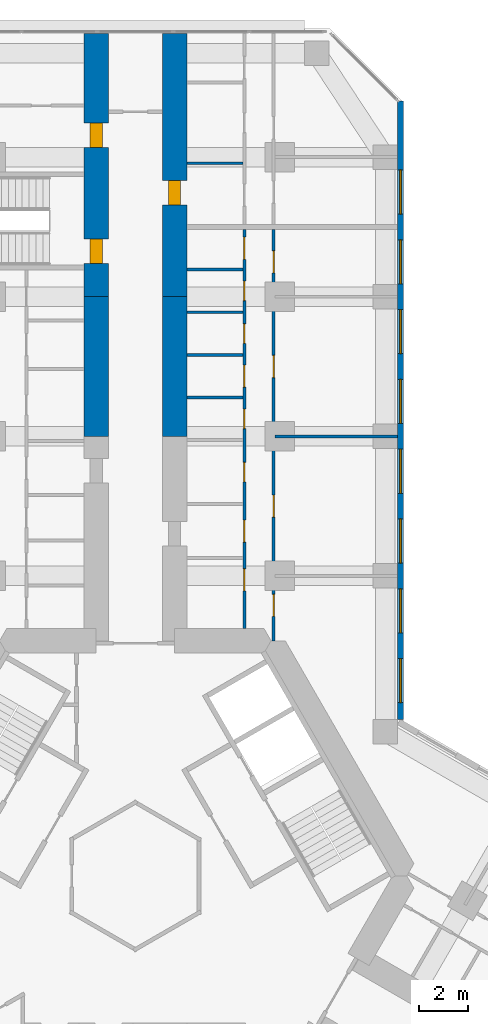
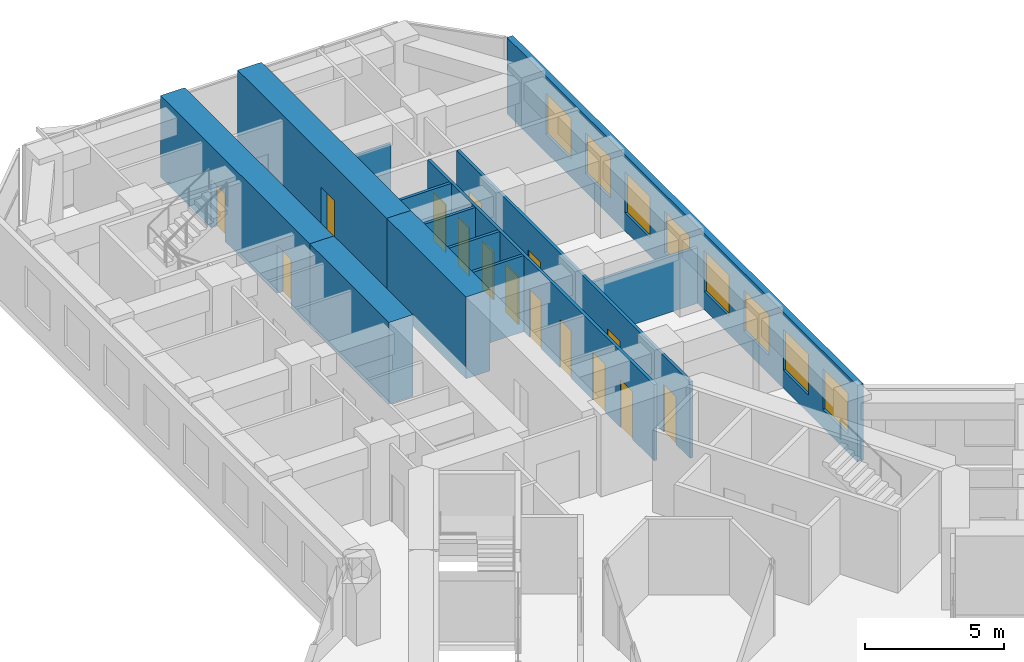
# One storey, part 18 of 21: 15 doors, 13 walls, 8 windows, 23 openings.
"""IFC4 building model written with IfcOpenShell, lengths in metres."""

from ifc_helpers import new_model, si_unit, direction, frame, frame_2d, origin, place, context, subcontext, project, spatial, rectangle, extrude, material, layer, layer_set, type_object, element, fill, save


model = new_model("IFC4")

# Units and contexts
model_context = context("Model", 3, precision=1e-05, world=origin(), true_north=direction((0.0, 1.0)))
body_context = subcontext(model_context, "Body", "Model", "MODEL_VIEW")
ifc_project = project(units=[si_unit("LENGTHUNIT", "METRE"), si_unit("AREAUNIT", "SQUARE_METRE"), si_unit("VOLUMEUNIT", "CUBIC_METRE"), si_unit("PLANEANGLEUNIT", "RADIAN"), si_unit("MASSUNIT", "GRAM", prefix="KILO")], contexts=[model_context])

# Site, building, storey
site_placement = place(None, origin())
site = spatial("IfcSite", under=ifc_project, at=site_placement, CompositionType="ELEMENT")
building_placement = place(site_placement, origin())
building = spatial("IfcBuilding", under=site, at=building_placement, Name="Kosmar Iwan School Tower", CompositionType="ELEMENT")
storey_placement = place(building_placement, frame((0.0, 0.0, 68.199951171875)))
storey = spatial("IfcBuildingStorey", under=building, at=storey_placement, Name="L16", CompositionType="ELEMENT", Elevation=68.199951171875)

# Wall
ifc_material_1 = material(Name="Concrete C50/60", Category="concrete")
ifc_layer_1 = layer(ifc_material_1, 1.0)
ifc_layer_set_1 = layer_set([ifc_layer_1], Name="Corridor buttress wall 1000")
wall_type_1 = type_object("IfcWallType", Name="Corridor buttress wall 1000", PredefinedType="SHEAR", material=ifc_layer_set_1)
wall_1_placement = place(storey_placement, frame((-1.60009765625, 17.949951171875, 0.0), z_axis=(0.0, 0.0, 1.0), x_axis=(0.0, 1.0, 0.0)))
element("IfcWall", 1, at=wall_1_placement, inside=storey, type_object=wall_type_1, Name="Corridor wall AL bay 2", PredefinedType="SHEAR", context=body_context, shape_type="SweptSolid", body=[
    extrude(rectangle(XDim=5.699951171875, YDim=1.0, at=frame_2d((2.85009765625, 0.0))), origin(), (0.0, 0.0, 1.0), 3.60009765625),
])

# Wall, openings, doors
wall_2_placement = place(storey_placement, frame((-1.60009765625, 23.64990234375, 0.0), z_axis=(0.0, 0.0, 1.0), x_axis=(0.0, 1.0, 0.0)))
wall_2 = element("IfcWall", 2, at=wall_2_placement, inside=storey, type_object=wall_type_1, Name="Corridor wall AL bay 3", PredefinedType="SHEAR", context=body_context, shape_type="SweptSolid", body=[
    extrude(rectangle(XDim=10.7451171875, YDim=1.0, at=frame_2d((5.37255859375, 0.0))), origin(), (0.0, 0.0, 1.0), 3.60009765625),
])
opening_1_placement = place(wall_2_placement, frame((6.10009765625, 0.0, 0.0)))
opening_1 = element("IfcOpeningElement", 3, at=opening_1_placement, cuts=wall_2, Name="Opening D1", PredefinedType="OPENING", context=body_context, shape_type="SweptSolid", body=[
    extrude(rectangle(XDim=1.0, YDim=2.10009765625, at=frame_2d((0.5, 1.050048828125))), frame((0.0, 0.511962890625, 0.0), z_axis=(0.0, -1.0, 0.0), x_axis=(1.0, 0.0, 0.0)), (0.0, 0.0, 1.0), 1.02392578125),
])
opening_2_placement = place(wall_2_placement, frame((1.35009765625, 0.0, 0.0)))
opening_2 = element("IfcOpeningElement", 4, at=opening_2_placement, cuts=wall_2, Name="Opening D6", PredefinedType="OPENING", context=body_context, shape_type="SweptSolid", body=[
    extrude(rectangle(XDim=1.0, YDim=2.10009765625, at=frame_2d((0.5, 1.050048828125))), frame((0.0, 0.511962890625, 0.0), z_axis=(0.0, -1.0, 0.0), x_axis=(1.0, 0.0, 0.0)), (0.0, 0.0, 1.0), 1.02392578125),
])
ifc_material_2 = material(Name="Timber fire door in steel frame", Category="steel")
door_type_1 = type_object("IfcDoorType", Name="Flat entrance door 1000x2100", OperationType="SINGLE_SWING_LEFT", PredefinedType="DOOR", material=ifc_material_2)
door_1_placement = place(opening_1_placement, origin())
door_1 = element("IfcDoor", 5, at=door_1_placement, inside=storey, type_object=door_type_1, Name="Flat L16-AL2 entrance door", OperationType="SINGLE_SWING_RIGHT", OverallHeight=2.10009765625, OverallWidth=1.0, PredefinedType="DOOR", context=body_context, shape_type="SweptSolid", body=[
    extrude(rectangle(XDim=1.0, YDim=2.10009765625, at=frame_2d((0.5, 1.050048828125))), frame((0.0, 0.25, 0.0), z_axis=(0.0, -1.0, 0.0), x_axis=(1.0, 0.0, 0.0)), (0.0, 0.0, 1.0), 0.5),
])
fill(opening_1, door_1)
ifc_material_3 = material(Name="Steel fire door", Category="steel")
door_type_2 = type_object("IfcDoorType", Name="Stair door 1000x2100", OperationType="SINGLE_SWING_LEFT", PredefinedType="DOOR", material=ifc_material_3)
door_2_placement = place(opening_2_placement, origin())
door_2 = element("IfcDoor", 6, at=door_2_placement, inside=storey, type_object=door_type_2, Name="Stair WS1 door L16", OperationType="SINGLE_SWING_LEFT", OverallHeight=2.10009765625, OverallWidth=1.0, PredefinedType="DOOR", context=body_context, shape_type="SweptSolid", body=[
    extrude(rectangle(XDim=1.0, YDim=2.10009765625, at=frame_2d((0.5, 1.050048828125))), frame((0.0, 0.25, 0.0), z_axis=(0.0, -1.0, 0.0), x_axis=(1.0, 0.0, 0.0)), (0.0, 0.0, 1.0), 0.5),
])
fill(opening_2, door_2)

# Wall
wall_3_placement = place(storey_placement, frame((1.60009765625, 17.949951171875, 0.0), z_axis=(0.0, 0.0, 1.0), x_axis=(0.0, 1.0, 0.0)))
element("IfcWall", 7, at=wall_3_placement, inside=storey, type_object=wall_type_1, Name="Corridor wall AR bay 2", PredefinedType="SHEAR", context=body_context, shape_type="SweptSolid", body=[
    extrude(rectangle(XDim=5.699951171875, YDim=1.0, at=frame_2d((2.85009765625, 0.0))), origin(), (0.0, 0.0, 1.0), 3.60009765625),
])

# Wall, opening, door
wall_4_placement = place(storey_placement, frame((1.60009765625, 23.64990234375, 0.0), z_axis=(0.0, 0.0, 1.0), x_axis=(0.0, 1.0, 0.0)))
wall_4 = element("IfcWall", 8, at=wall_4_placement, inside=storey, type_object=wall_type_1, Name="Corridor wall AR bay 3", PredefinedType="SHEAR", context=body_context, shape_type="SweptSolid", body=[
    extrude(rectangle(XDim=10.7451171875, YDim=1.0, at=frame_2d((5.37255859375, 0.0))), origin(), (0.0, 0.0, 1.0), 3.60009765625),
])
opening_3_placement = place(wall_4_placement, frame((3.75, 0.0, 0.0)))
opening_3 = element("IfcOpeningElement", 9, at=opening_3_placement, cuts=wall_4, Name="Opening D1", PredefinedType="OPENING", context=body_context, shape_type="SweptSolid", body=[
    extrude(rectangle(XDim=1.0, YDim=2.10009765625, at=frame_2d((0.5, 1.050048828125))), frame((0.0, 0.511962890625, 0.0), z_axis=(0.0, -1.0, 0.0), x_axis=(1.0, 0.0, 0.0)), (0.0, 0.0, 1.0), 1.02392578125),
])
door_3_placement = place(opening_3_placement, origin())
door_3 = element("IfcDoor", 10, at=door_3_placement, inside=storey, type_object=door_type_1, Name="Flat L16-AR2 entrance door", OperationType="SINGLE_SWING_RIGHT", OverallHeight=2.10009765625, OverallWidth=1.0, PredefinedType="DOOR", context=body_context, shape_type="SweptSolid", body=[
    extrude(rectangle(XDim=1.0, YDim=2.10009765625, at=frame_2d((0.5, 1.050048828125))), frame((0.0, 0.25, 0.0), z_axis=(0.0, -1.0, 0.0), x_axis=(1.0, 0.0, 0.0)), (0.0, 0.0, 1.0), 0.5),
])
fill(opening_3, door_3)

# Wall, openings, doors
ifc_material_4 = material(Name="Gypsum board on steel studs", Category="steel")
ifc_layer_2 = layer(ifc_material_4, 0.1201171875)
ifc_layer_set_2 = layer_set([ifc_layer_2], Name="Dwelling partition 120")
wall_type_2 = type_object("IfcWallType", Name="Dwelling partition 120", PredefinedType="PARTITIONING", material=ifc_layer_set_2)
wall_5_placement = place(storey_placement, frame((4.449951171875, 10.10009765625, 0.0), z_axis=(0.0, 0.0, 1.0), x_axis=(0.0, 1.0, 0.0)))
wall_5 = element("IfcWall", 11, at=wall_5_placement, inside=storey, type_object=wall_type_2, Name="Partition L16-AR1-W1", PredefinedType="PARTITIONING", context=body_context, shape_type="SweptSolid", body=[
    extrude(rectangle(XDim=16.2998046875, YDim=0.1201171875, at=frame_2d((8.14990234375, 0.0))), origin(), (0.0, 0.0, 1.0), 3.35009765625),
])
opening_4_placement = place(wall_5_placement, frame((1.5400390625, 0.0, 0.0)))
opening_4 = element("IfcOpeningElement", 12, at=opening_4_placement, cuts=wall_5, Name="Opening D2", PredefinedType="OPENING", context=body_context, shape_type="SweptSolid", body=[
    extrude(rectangle(XDim=0.89990234375, YDim=2.10009765625, at=frame_2d((0.449951171875, 1.050048828125))), frame((0.0, 0.072021484375, 0.0), z_axis=(0.0, -1.0, 0.0), x_axis=(1.0, 0.0, 0.0)), (0.0, 0.0, 1.0), 0.14404296875),
])
opening_5_placement = place(wall_5_placement, frame((3.530029296875, 0.0, 0.0)))
opening_5 = element("IfcOpeningElement", 13, at=opening_5_placement, cuts=wall_5, Name="Opening D2", PredefinedType="OPENING", context=body_context, shape_type="SweptSolid", body=[
    extrude(rectangle(XDim=0.89990234375, YDim=2.10009765625, at=frame_2d((0.449951171875, 1.050048828125))), frame((0.0, 0.072021484375, 0.0), z_axis=(0.0, -1.0, 0.0), x_axis=(1.0, 0.0, 0.0)), (0.0, 0.0, 1.0), 0.14404296875),
])
opening_6_placement = place(wall_5_placement, frame((5.986083984375, 0.0, 0.0)))
opening_6 = element("IfcOpeningElement", 14, at=opening_6_placement, cuts=wall_5, Name="Opening D3", PredefinedType="OPENING", context=body_context, shape_type="SweptSolid", body=[
    extrude(rectangle(XDim=0.800048828125, YDim=2.10009765625, at=frame_2d((0.39990234375, 1.050048828125))), frame((0.0, 0.072021484375, 0.0), z_axis=(0.0, -1.0, 0.0), x_axis=(1.0, 0.0, 0.0)), (0.0, 0.0, 1.0), 0.14404296875),
])
opening_7_placement = place(wall_5_placement, frame((8.1630859375, 0.0, 0.0)))
opening_7 = element("IfcOpeningElement", 15, at=opening_7_placement, cuts=wall_5, Name="Opening D3", PredefinedType="OPENING", context=body_context, shape_type="SweptSolid", body=[
    extrude(rectangle(XDim=0.800048828125, YDim=2.10009765625, at=frame_2d((0.39990234375, 1.050048828125))), frame((0.0, 0.072021484375, 0.0), z_axis=(0.0, -1.0, 0.0), x_axis=(1.0, 0.0, 0.0)), (0.0, 0.0, 1.0), 0.14404296875),
])
opening_8_placement = place(wall_5_placement, frame((9.854736328125, 0.0, 0.0)))
opening_8 = element("IfcOpeningElement", 16, at=opening_8_placement, cuts=wall_5, Name="Opening D2", PredefinedType="OPENING", context=body_context, shape_type="SweptSolid", body=[
    extrude(rectangle(XDim=0.89990234375, YDim=2.10009765625, at=frame_2d((0.449951171875, 1.050048828125))), frame((0.0, 0.072021484375, 0.0), z_axis=(0.0, -1.0, 0.0), x_axis=(1.0, 0.0, 0.0)), (0.0, 0.0, 1.0), 0.14404296875),
])
opening_9_placement = place(wall_5_placement, frame((11.646240234375, 0.0, 0.0)))
opening_9 = element("IfcOpeningElement", 17, at=opening_9_placement, cuts=wall_5, Name="Opening D3", PredefinedType="OPENING", context=body_context, shape_type="SweptSolid", body=[
    extrude(rectangle(XDim=0.800048828125, YDim=2.10009765625, at=frame_2d((0.39990234375, 1.050048828125))), frame((0.0, 0.072021484375, 0.0), z_axis=(0.0, -1.0, 0.0), x_axis=(1.0, 0.0, 0.0)), (0.0, 0.0, 1.0), 0.14404296875),
])
opening_10_placement = place(wall_5_placement, frame((13.3876953125, 0.0, 0.0)))
opening_10 = element("IfcOpeningElement", 18, at=opening_10_placement, cuts=wall_5, Name="Opening D3", PredefinedType="OPENING", context=body_context, shape_type="SweptSolid", body=[
    extrude(rectangle(XDim=0.800048828125, YDim=2.10009765625, at=frame_2d((0.39990234375, 1.050048828125))), frame((0.0, 0.072021484375, 0.0), z_axis=(0.0, -1.0, 0.0), x_axis=(1.0, 0.0, 0.0)), (0.0, 0.0, 1.0), 0.14404296875),
])
opening_11_placement = place(wall_5_placement, frame((15.079345703125, 0.0, 0.0)))
opening_11 = element("IfcOpeningElement", 19, at=opening_11_placement, cuts=wall_5, Name="Opening D2", PredefinedType="OPENING", context=body_context, shape_type="SweptSolid", body=[
    extrude(rectangle(XDim=0.89990234375, YDim=2.10009765625, at=frame_2d((0.449951171875, 1.050048828125))), frame((0.0, 0.072021484375, 0.0), z_axis=(0.0, -1.0, 0.0), x_axis=(1.0, 0.0, 0.0)), (0.0, 0.0, 1.0), 0.14404296875),
])
ifc_material_5 = material(Name="Timber door in timber frame", Category="wood")
door_type_3 = type_object("IfcDoorType", Name="Internal door 900x2100", OperationType="SINGLE_SWING_LEFT", PredefinedType="DOOR", material=ifc_material_5)
door_4_placement = place(opening_4_placement, origin())
door_4 = element("IfcDoor", 20, at=door_4_placement, inside=storey, type_object=door_type_3, Name="Utility room door L16-AR1-S1", OperationType="SINGLE_SWING_RIGHT", OverallHeight=2.10009765625, OverallWidth=0.89990234375, PredefinedType="DOOR", context=body_context, shape_type="SweptSolid", body=[
    extrude(rectangle(XDim=0.89990234375, YDim=2.10009765625, at=frame_2d((0.449951171875, 1.050048828125))), frame((0.0, 0.02490234375, 0.0), z_axis=(0.0, -1.0, 0.0), x_axis=(1.0, 0.0, 0.0)), (0.0, 0.0, 1.0), 0.050048828125),
])
fill(opening_4, door_4)
door_5_placement = place(opening_5_placement, origin())
door_5 = element("IfcDoor", 21, at=door_5_placement, inside=storey, type_object=door_type_3, Name="Entrance hall door L16-AR1-S2", OperationType="SINGLE_SWING_LEFT", OverallHeight=2.10009765625, OverallWidth=0.89990234375, PredefinedType="DOOR", context=body_context, shape_type="SweptSolid", body=[
    extrude(rectangle(XDim=0.89990234375, YDim=2.10009765625, at=frame_2d((0.449951171875, 1.050048828125))), frame((0.0, 0.02490234375, 0.0), z_axis=(0.0, -1.0, 0.0), x_axis=(1.0, 0.0, 0.0)), (0.0, 0.0, 1.0), 0.050048828125),
])
fill(opening_5, door_5)
door_6_placement = place(opening_8_placement, origin())
door_6 = element("IfcDoor", 22, at=door_6_placement, inside=storey, type_object=door_type_3, Name="Pantry door L16-AR1-S5", OperationType="SINGLE_SWING_RIGHT", OverallHeight=2.10009765625, OverallWidth=0.89990234375, PredefinedType="DOOR", context=body_context, shape_type="SweptSolid", body=[
    extrude(rectangle(XDim=0.89990234375, YDim=2.10009765625, at=frame_2d((0.449951171875, 1.050048828125))), frame((0.0, 0.02490234375, 0.0), z_axis=(0.0, -1.0, 0.0), x_axis=(1.0, 0.0, 0.0)), (0.0, 0.0, 1.0), 0.050048828125),
])
fill(opening_8, door_6)
door_7_placement = place(opening_11_placement, origin())
door_7 = element("IfcDoor", 23, at=door_7_placement, inside=storey, type_object=door_type_3, Name="Dressing room door L16-AR1-S8", OperationType="SINGLE_SWING_RIGHT", OverallHeight=2.10009765625, OverallWidth=0.89990234375, PredefinedType="DOOR", context=body_context, shape_type="SweptSolid", body=[
    extrude(rectangle(XDim=0.89990234375, YDim=2.10009765625, at=frame_2d((0.449951171875, 1.050048828125))), frame((0.0, 0.02490234375, 0.0), z_axis=(0.0, -1.0, 0.0), x_axis=(1.0, 0.0, 0.0)), (0.0, 0.0, 1.0), 0.050048828125),
])
fill(opening_11, door_7)
ifc_material_6 = material(Name="Timber door in timber frame", Category="wood")
door_type_4 = type_object("IfcDoorType", Name="Sanitary room door 800x2100", OperationType="SINGLE_SWING_LEFT", PredefinedType="DOOR", material=ifc_material_6)
door_8_placement = place(opening_6_placement, origin())
door_8 = element("IfcDoor", 24, at=door_8_placement, inside=storey, type_object=door_type_4, Name="Bathroom door L16-AR1-S3", OperationType="SINGLE_SWING_RIGHT", OverallHeight=2.10009765625, OverallWidth=0.800048828125, PredefinedType="DOOR", context=body_context, shape_type="SweptSolid", body=[
    extrude(rectangle(XDim=0.800048828125, YDim=2.10009765625, at=frame_2d((0.39990234375, 1.050048828125))), frame((0.0, 0.02490234375, 0.0), z_axis=(0.0, -1.0, 0.0), x_axis=(1.0, 0.0, 0.0)), (0.0, 0.0, 1.0), 0.050048828125),
])
fill(opening_6, door_8)
door_9_placement = place(opening_7_placement, origin())
door_9 = element("IfcDoor", 25, at=door_9_placement, inside=storey, type_object=door_type_4, Name="Shower room door L16-AR1-S4", OperationType="SINGLE_SWING_LEFT", OverallHeight=2.10009765625, OverallWidth=0.800048828125, PredefinedType="DOOR", context=body_context, shape_type="SweptSolid", body=[
    extrude(rectangle(XDim=0.800048828125, YDim=2.10009765625, at=frame_2d((0.39990234375, 1.050048828125))), frame((0.0, 0.02490234375, 0.0), z_axis=(0.0, -1.0, 0.0), x_axis=(1.0, 0.0, 0.0)), (0.0, 0.0, 1.0), 0.050048828125),
])
fill(opening_7, door_9)
door_10_placement = place(opening_9_placement, origin())
door_10 = element("IfcDoor", 26, at=door_10_placement, inside=storey, type_object=door_type_4, Name="WC door L16-AR1-S6", OperationType="SINGLE_SWING_LEFT", OverallHeight=2.10009765625, OverallWidth=0.800048828125, PredefinedType="DOOR", context=body_context, shape_type="SweptSolid", body=[
    extrude(rectangle(XDim=0.800048828125, YDim=2.10009765625, at=frame_2d((0.39990234375, 1.050048828125))), frame((0.0, 0.02490234375, 0.0), z_axis=(0.0, -1.0, 0.0), x_axis=(1.0, 0.0, 0.0)), (0.0, 0.0, 1.0), 0.050048828125),
])
fill(opening_9, door_10)
door_11_placement = place(opening_10_placement, origin())
door_11 = element("IfcDoor", 27, at=door_11_placement, inside=storey, type_object=door_type_4, Name="Store door L16-AR1-S7", OperationType="SINGLE_SWING_RIGHT", OverallHeight=2.10009765625, OverallWidth=0.800048828125, PredefinedType="DOOR", context=body_context, shape_type="SweptSolid", body=[
    extrude(rectangle(XDim=0.800048828125, YDim=2.10009765625, at=frame_2d((0.39990234375, 1.050048828125))), frame((0.0, 0.02490234375, 0.0), z_axis=(0.0, -1.0, 0.0), x_axis=(1.0, 0.0, 0.0)), (0.0, 0.0, 1.0), 0.050048828125),
])
fill(opening_10, door_11)

wall_6_placement = place(storey_placement, frame((5.64990234375, 9.60009765625, 0.0), z_axis=(0.0, 0.0, 1.0), x_axis=(0.0, 1.0, 0.0)))
wall_6 = element("IfcWall", 28, at=wall_6_placement, inside=storey, type_object=wall_type_2, Name="Partition L16-AR1-W2", PredefinedType="PARTITIONING", context=body_context, shape_type="SweptSolid", body=[
    extrude(rectangle(XDim=16.7998046875, YDim=0.1201171875, at=frame_2d((8.39990234375, 0.0))), origin(), (0.0, 0.0, 1.0), 3.35009765625),
])
opening_12_placement = place(wall_6_placement, frame((1.0, 0.0, 0.0)))
opening_12 = element("IfcOpeningElement", 29, at=opening_12_placement, cuts=wall_6, Name="Opening D2", PredefinedType="OPENING", context=body_context, shape_type="SweptSolid", body=[
    extrude(rectangle(XDim=0.89990234375, YDim=2.10009765625, at=frame_2d((0.449951171875, 1.050048828125))), frame((0.0, 0.072021484375, 0.0), z_axis=(0.0, -1.0, 0.0), x_axis=(1.0, 0.0, 0.0)), (0.0, 0.0, 1.0), 0.14404296875),
])
opening_13_placement = place(wall_6_placement, frame((5.050048828125, 0.0, 0.0)))
opening_13 = element("IfcOpeningElement", 30, at=opening_13_placement, cuts=wall_6, Name="Opening D2", PredefinedType="OPENING", context=body_context, shape_type="SweptSolid", body=[
    extrude(rectangle(XDim=0.89990234375, YDim=2.10009765625, at=frame_2d((0.449951171875, 1.050048828125))), frame((0.0, 0.072021484375, 0.0), z_axis=(0.0, -1.0, 0.0), x_axis=(1.0, 0.0, 0.0)), (0.0, 0.0, 1.0), 0.14404296875),
])
opening_14_placement = place(wall_6_placement, frame((10.75, 0.0, 0.0)))
opening_14 = element("IfcOpeningElement", 31, at=opening_14_placement, cuts=wall_6, Name="Opening D2", PredefinedType="OPENING", context=body_context, shape_type="SweptSolid", body=[
    extrude(rectangle(XDim=0.89990234375, YDim=2.10009765625, at=frame_2d((0.449951171875, 1.050048828125))), frame((0.0, 0.072021484375, 0.0), z_axis=(0.0, -1.0, 0.0), x_axis=(1.0, 0.0, 0.0)), (0.0, 0.0, 1.0), 0.14404296875),
])
opening_15_placement = place(wall_6_placement, frame((15.02490234375, 0.0, 0.0)))
opening_15 = element("IfcOpeningElement", 32, at=opening_15_placement, cuts=wall_6, Name="Opening D2", PredefinedType="OPENING", context=body_context, shape_type="SweptSolid", body=[
    extrude(rectangle(XDim=0.89990234375, YDim=2.10009765625, at=frame_2d((0.449951171875, 1.050048828125))), frame((0.0, 0.072021484375, 0.0), z_axis=(0.0, -1.0, 0.0), x_axis=(1.0, 0.0, 0.0)), (0.0, 0.0, 1.0), 0.14404296875),
])
door_12_placement = place(opening_12_placement, origin())
door_12 = element("IfcDoor", 33, at=door_12_placement, inside=storey, type_object=door_type_3, Name="Bedroom 1 door L16-AR1-F1", OperationType="SINGLE_SWING_LEFT", OverallHeight=2.10009765625, OverallWidth=0.89990234375, PredefinedType="DOOR", context=body_context, shape_type="SweptSolid", body=[
    extrude(rectangle(XDim=0.89990234375, YDim=2.10009765625, at=frame_2d((0.449951171875, 1.050048828125))), frame((0.0, 0.02490234375, 0.0), z_axis=(0.0, -1.0, 0.0), x_axis=(1.0, 0.0, 0.0)), (0.0, 0.0, 1.0), 0.050048828125),
])
fill(opening_12, door_12)
door_13_placement = place(opening_13_placement, origin())
door_13 = element("IfcDoor", 34, at=door_13_placement, inside=storey, type_object=door_type_3, Name="Study door L16-AR1-F2", OperationType="SINGLE_SWING_LEFT", OverallHeight=2.10009765625, OverallWidth=0.89990234375, PredefinedType="DOOR", context=body_context, shape_type="SweptSolid", body=[
    extrude(rectangle(XDim=0.89990234375, YDim=2.10009765625, at=frame_2d((0.449951171875, 1.050048828125))), frame((0.0, 0.02490234375, 0.0), z_axis=(0.0, -1.0, 0.0), x_axis=(1.0, 0.0, 0.0)), (0.0, 0.0, 1.0), 0.050048828125),
])
fill(opening_13, door_13)
door_14_placement = place(opening_14_placement, origin())
door_14 = element("IfcDoor", 35, at=door_14_placement, inside=storey, type_object=door_type_3, Name="Living room and kitchen door L16-AR1-F3", OperationType="SINGLE_SWING_RIGHT", OverallHeight=2.10009765625, OverallWidth=0.89990234375, PredefinedType="DOOR", context=body_context, shape_type="SweptSolid", body=[
    extrude(rectangle(XDim=0.89990234375, YDim=2.10009765625, at=frame_2d((0.449951171875, 1.050048828125))), frame((0.0, 0.02490234375, 0.0), z_axis=(0.0, -1.0, 0.0), x_axis=(1.0, 0.0, 0.0)), (0.0, 0.0, 1.0), 0.050048828125),
])
fill(opening_14, door_14)
door_15_placement = place(opening_15_placement, origin())
door_15 = element("IfcDoor", 36, at=door_15_placement, inside=storey, type_object=door_type_3, Name="Bedroom 2 door L16-AR1-F4", OperationType="SINGLE_SWING_RIGHT", OverallHeight=2.10009765625, OverallWidth=0.89990234375, PredefinedType="DOOR", context=body_context, shape_type="SweptSolid", body=[
    extrude(rectangle(XDim=0.89990234375, YDim=2.10009765625, at=frame_2d((0.449951171875, 1.050048828125))), frame((0.0, 0.02490234375, 0.0), z_axis=(0.0, -1.0, 0.0), x_axis=(1.0, 0.0, 0.0)), (0.0, 0.0, 1.0), 0.050048828125),
])
fill(opening_15, door_15)

# Walls
wall_7_placement = place(storey_placement, frame((5.7099609375, 17.949951171875, 0.0), z_axis=(0.0, 0.0, 1.0), x_axis=(1.0, 0.0, 0.0)))
element("IfcWall", 37, at=wall_7_placement, inside=storey, type_object=wall_type_2, Name="Partition L16-AR1-X2", PredefinedType="PARTITIONING", context=body_context, shape_type="SweptSolid", body=[
    extrude(rectangle(XDim=4.989990234375, YDim=0.1201171875, at=frame_2d((2.4951171875, 0.0))), origin(), (0.0, 0.0, 1.0), 2.449951171875),
])
for number, where, z_axis, x_axis, name in (
    (38, (2.10009765625, 19.533935546875, 0.0), (0.0, 0.0, 1.0), (1.0, 0.0, 0.0), "Partition L16-AR1-Y4"),
    (39, (2.10009765625, 21.275390625, 0.0), (0.0, 0.0, 1.0), (1.0, 0.0, 0.0), "Partition L16-AR1-Y5"),
    (40, (2.10009765625, 23.016845703125, 0.0), (0.0, 0.0, 1.0), (1.0, 0.0, 0.0), "Partition L16-AR1-Y6"),
    (41, (2.10009765625, 24.758544921875, 0.0), (0.0, 0.0, 1.0), (1.0, 0.0, 0.0), "Partition L16-AR1-Y7"),
):
    element("IfcWall", number, at=place(storey_placement, frame(where, z_axis=z_axis, x_axis=x_axis)), inside=storey, type_object=wall_type_2, Name=name, PredefinedType="PARTITIONING", context=body_context, shape_type="SweptSolid", body=[
        extrude(rectangle(XDim=2.289794921875, YDim=0.1201171875, at=frame_2d((1.14501953125, 0.0))), origin(), (0.0, 0.0, 1.0), 3.35009765625),
    ])
wall_8_placement = place(storey_placement, frame((2.10009765625, 29.10009765625, 0.0), z_axis=(0.0, 0.0, 1.0), x_axis=(1.0, 0.0, 0.0)))
element("IfcWall", 42, at=wall_8_placement, inside=storey, type_object=wall_type_2, Name="Partition L16-AR2-Y1", PredefinedType="PARTITIONING", context=body_context, shape_type="SweptSolid", body=[
    extrude(rectangle(XDim=2.289794921875, YDim=0.1201171875, at=frame_2d((1.14501953125, 0.0))), origin(), (0.0, 0.0, 1.0), 2.449951171875),
])

# Wall, openings, windows
ifc_material_7 = material(Name="Black aluminium rainscreen on insulated framing", Category="aluminium")
ifc_layer_3 = layer(ifc_material_7, 0.25)
ifc_layer_set_3 = layer_set([ifc_layer_3], Name="External wall rainscreen 250")
wall_type_3 = type_object("IfcWallType", Name="External wall rainscreen 250", PredefinedType="SOLIDWALL", material=ifc_layer_set_3)
wall_9_placement = place(storey_placement, frame((10.824951171875, 6.39404296875, 0.0), z_axis=(0.0, 0.0, 1.0), x_axis=(0.0, 1.0, 0.0)))
wall_9 = element("IfcWall", 43, at=wall_9_placement, inside=storey, type_object=wall_type_3, Name="External wall AR L16", PredefinedType="SOLIDWALL", context=body_context, shape_type="SweptSolid", body=[
    extrude(rectangle(XDim=25.2412109375, YDim=0.25, at=frame_2d((12.62060546875, 0.0))), origin(), (0.0, 0.0, 1.0), 3.35009765625),
])
opening_16_placement = place(wall_9_placement, frame((0.680908203125, 0.0, 0.800048828125)))
opening_16 = element("IfcOpeningElement", 44, at=opening_16_placement, cuts=wall_9, Name="Opening W1", PredefinedType="OPENING", context=body_context, shape_type="SweptSolid", body=[
    extrude(rectangle(XDim=1.800048828125, YDim=1.800048828125, at=frame_2d((0.89990234375, 0.89990234375))), frame((0.0, 0.136962890625, 0.0), z_axis=(0.0, -1.0, 0.0), x_axis=(1.0, 0.0, 0.0)), (0.0, 0.0, 1.0), 0.27392578125),
])
opening_17_placement = place(wall_9_placement, frame((3.53076171875, 0.0, 0.800048828125)))
opening_17 = element("IfcOpeningElement", 45, at=opening_17_placement, cuts=wall_9, Name="Opening W1", PredefinedType="OPENING", context=body_context, shape_type="SweptSolid", body=[
    extrude(rectangle(XDim=1.800048828125, YDim=1.800048828125, at=frame_2d((0.89990234375, 0.89990234375))), frame((0.0, 0.136962890625, 0.0), z_axis=(0.0, -1.0, 0.0), x_axis=(1.0, 0.0, 0.0)), (0.0, 0.0, 1.0), 0.27392578125),
])
opening_18_placement = place(wall_9_placement, frame((6.380859375, 0.0, 0.800048828125)))
opening_18 = element("IfcOpeningElement", 46, at=opening_18_placement, cuts=wall_9, Name="Opening W1", PredefinedType="OPENING", context=body_context, shape_type="SweptSolid", body=[
    extrude(rectangle(XDim=1.800048828125, YDim=1.800048828125, at=frame_2d((0.89990234375, 0.89990234375))), frame((0.0, 0.136962890625, 0.0), z_axis=(0.0, -1.0, 0.0), x_axis=(1.0, 0.0, 0.0)), (0.0, 0.0, 1.0), 0.27392578125),
])
opening_19_placement = place(wall_9_placement, frame((9.23095703125, 0.0, 0.800048828125)))
opening_19 = element("IfcOpeningElement", 47, at=opening_19_placement, cuts=wall_9, Name="Opening W1", PredefinedType="OPENING", context=body_context, shape_type="SweptSolid", body=[
    extrude(rectangle(XDim=1.800048828125, YDim=1.800048828125, at=frame_2d((0.89990234375, 0.89990234375))), frame((0.0, 0.136962890625, 0.0), z_axis=(0.0, -1.0, 0.0), x_axis=(1.0, 0.0, 0.0)), (0.0, 0.0, 1.0), 0.27392578125),
])
opening_20_placement = place(wall_9_placement, frame((12.080810546875, 0.0, 0.800048828125)))
opening_20 = element("IfcOpeningElement", 48, at=opening_20_placement, cuts=wall_9, Name="Opening W1", PredefinedType="OPENING", context=body_context, shape_type="SweptSolid", body=[
    extrude(rectangle(XDim=1.800048828125, YDim=1.800048828125, at=frame_2d((0.89990234375, 0.89990234375))), frame((0.0, 0.136962890625, 0.0), z_axis=(0.0, -1.0, 0.0), x_axis=(1.0, 0.0, 0.0)), (0.0, 0.0, 1.0), 0.27392578125),
])
opening_21_placement = place(wall_9_placement, frame((14.930908203125, 0.0, 0.800048828125)))
opening_21 = element("IfcOpeningElement", 49, at=opening_21_placement, cuts=wall_9, Name="Opening W1", PredefinedType="OPENING", context=body_context, shape_type="SweptSolid", body=[
    extrude(rectangle(XDim=1.800048828125, YDim=1.800048828125, at=frame_2d((0.89990234375, 0.89990234375))), frame((0.0, 0.136962890625, 0.0), z_axis=(0.0, -1.0, 0.0), x_axis=(1.0, 0.0, 0.0)), (0.0, 0.0, 1.0), 0.27392578125),
])
opening_22_placement = place(wall_9_placement, frame((17.78076171875, 0.0, 0.800048828125)))
opening_22 = element("IfcOpeningElement", 50, at=opening_22_placement, cuts=wall_9, Name="Opening W1", PredefinedType="OPENING", context=body_context, shape_type="SweptSolid", body=[
    extrude(rectangle(XDim=1.800048828125, YDim=1.800048828125, at=frame_2d((0.89990234375, 0.89990234375))), frame((0.0, 0.136962890625, 0.0), z_axis=(0.0, -1.0, 0.0), x_axis=(1.0, 0.0, 0.0)), (0.0, 0.0, 1.0), 0.27392578125),
])
opening_23_placement = place(wall_9_placement, frame((20.630859375, 0.0, 0.800048828125)))
opening_23 = element("IfcOpeningElement", 51, at=opening_23_placement, cuts=wall_9, Name="Opening W1", PredefinedType="OPENING", context=body_context, shape_type="SweptSolid", body=[
    extrude(rectangle(XDim=1.800048828125, YDim=1.800048828125, at=frame_2d((0.89990234375, 0.89990234375))), frame((0.0, 0.136962890625, 0.0), z_axis=(0.0, -1.0, 0.0), x_axis=(1.0, 0.0, 0.0)), (0.0, 0.0, 1.0), 0.27392578125),
])
ifc_material_8 = material(Name="Black aluminium frame with dark triple glazing", Category="aluminium")
window_type = type_object("IfcWindowType", Name="Window 1800x1800", PartitioningType="SINGLE_PANEL", PredefinedType="WINDOW", material=ifc_material_8)
window_1_placement = place(opening_16_placement, origin())
window_1 = element("IfcWindow", 52, at=window_1_placement, inside=storey, type_object=window_type, Name="Window AR L16 -1", OverallHeight=1.800048828125, OverallWidth=1.800048828125, PartitioningType="SINGLE_PANEL", PredefinedType="WINDOW", context=body_context, shape_type="SweptSolid", body=[
    extrude(rectangle(XDim=1.800048828125, YDim=1.800048828125, at=frame_2d((0.89990234375, 0.89990234375))), frame((0.0, 0.030029296875, 0.0), z_axis=(0.0, -1.0, 0.0), x_axis=(1.0, 0.0, 0.0)), (0.0, 0.0, 1.0), 0.06005859375),
])
fill(opening_16, window_1)
window_2_placement = place(opening_17_placement, origin())
window_2 = element("IfcWindow", 53, at=window_2_placement, inside=storey, type_object=window_type, Name="Window AR L16 0", OverallHeight=1.800048828125, OverallWidth=1.800048828125, PartitioningType="SINGLE_PANEL", PredefinedType="WINDOW", context=body_context, shape_type="SweptSolid", body=[
    extrude(rectangle(XDim=1.800048828125, YDim=1.800048828125, at=frame_2d((0.89990234375, 0.89990234375))), frame((0.0, 0.030029296875, 0.0), z_axis=(0.0, -1.0, 0.0), x_axis=(1.0, 0.0, 0.0)), (0.0, 0.0, 1.0), 0.06005859375),
])
fill(opening_17, window_2)
window_3_placement = place(opening_18_placement, origin())
window_3 = element("IfcWindow", 54, at=window_3_placement, inside=storey, type_object=window_type, Name="Window AR L16 1", OverallHeight=1.800048828125, OverallWidth=1.800048828125, PartitioningType="SINGLE_PANEL", PredefinedType="WINDOW", context=body_context, shape_type="SweptSolid", body=[
    extrude(rectangle(XDim=1.800048828125, YDim=1.800048828125, at=frame_2d((0.89990234375, 0.89990234375))), frame((0.0, 0.030029296875, 0.0), z_axis=(0.0, -1.0, 0.0), x_axis=(1.0, 0.0, 0.0)), (0.0, 0.0, 1.0), 0.06005859375),
])
fill(opening_18, window_3)
window_4_placement = place(opening_19_placement, origin())
window_4 = element("IfcWindow", 55, at=window_4_placement, inside=storey, type_object=window_type, Name="Window AR L16 2", OverallHeight=1.800048828125, OverallWidth=1.800048828125, PartitioningType="SINGLE_PANEL", PredefinedType="WINDOW", context=body_context, shape_type="SweptSolid", body=[
    extrude(rectangle(XDim=1.800048828125, YDim=1.800048828125, at=frame_2d((0.89990234375, 0.89990234375))), frame((0.0, 0.030029296875, 0.0), z_axis=(0.0, -1.0, 0.0), x_axis=(1.0, 0.0, 0.0)), (0.0, 0.0, 1.0), 0.06005859375),
])
fill(opening_19, window_4)
window_5_placement = place(opening_20_placement, origin())
window_5 = element("IfcWindow", 56, at=window_5_placement, inside=storey, type_object=window_type, Name="Window AR L16 3", OverallHeight=1.800048828125, OverallWidth=1.800048828125, PartitioningType="SINGLE_PANEL", PredefinedType="WINDOW", context=body_context, shape_type="SweptSolid", body=[
    extrude(rectangle(XDim=1.800048828125, YDim=1.800048828125, at=frame_2d((0.89990234375, 0.89990234375))), frame((0.0, 0.030029296875, 0.0), z_axis=(0.0, -1.0, 0.0), x_axis=(1.0, 0.0, 0.0)), (0.0, 0.0, 1.0), 0.06005859375),
])
fill(opening_20, window_5)
window_6_placement = place(opening_21_placement, origin())
window_6 = element("IfcWindow", 57, at=window_6_placement, inside=storey, type_object=window_type, Name="Window AR L16 4", OverallHeight=1.800048828125, OverallWidth=1.800048828125, PartitioningType="SINGLE_PANEL", PredefinedType="WINDOW", context=body_context, shape_type="SweptSolid", body=[
    extrude(rectangle(XDim=1.800048828125, YDim=1.800048828125, at=frame_2d((0.89990234375, 0.89990234375))), frame((0.0, 0.030029296875, 0.0), z_axis=(0.0, -1.0, 0.0), x_axis=(1.0, 0.0, 0.0)), (0.0, 0.0, 1.0), 0.06005859375),
])
fill(opening_21, window_6)
window_7_placement = place(opening_22_placement, origin())
window_7 = element("IfcWindow", 58, at=window_7_placement, inside=storey, type_object=window_type, Name="Window AR L16 5", OverallHeight=1.800048828125, OverallWidth=1.800048828125, PartitioningType="SINGLE_PANEL", PredefinedType="WINDOW", context=body_context, shape_type="SweptSolid", body=[
    extrude(rectangle(XDim=1.800048828125, YDim=1.800048828125, at=frame_2d((0.89990234375, 0.89990234375))), frame((0.0, 0.030029296875, 0.0), z_axis=(0.0, -1.0, 0.0), x_axis=(1.0, 0.0, 0.0)), (0.0, 0.0, 1.0), 0.06005859375),
])
fill(opening_22, window_7)
window_8_placement = place(opening_23_placement, origin())
window_8 = element("IfcWindow", 59, at=window_8_placement, inside=storey, type_object=window_type, Name="Window AR L16 6", OverallHeight=1.800048828125, OverallWidth=1.800048828125, PartitioningType="SINGLE_PANEL", PredefinedType="WINDOW", context=body_context, shape_type="SweptSolid", body=[
    extrude(rectangle(XDim=1.800048828125, YDim=1.800048828125, at=frame_2d((0.89990234375, 0.89990234375))), frame((0.0, 0.030029296875, 0.0), z_axis=(0.0, -1.0, 0.0), x_axis=(1.0, 0.0, 0.0)), (0.0, 0.0, 1.0), 0.06005859375),
])
fill(opening_23, window_8)

save(model, "model.ifc")
